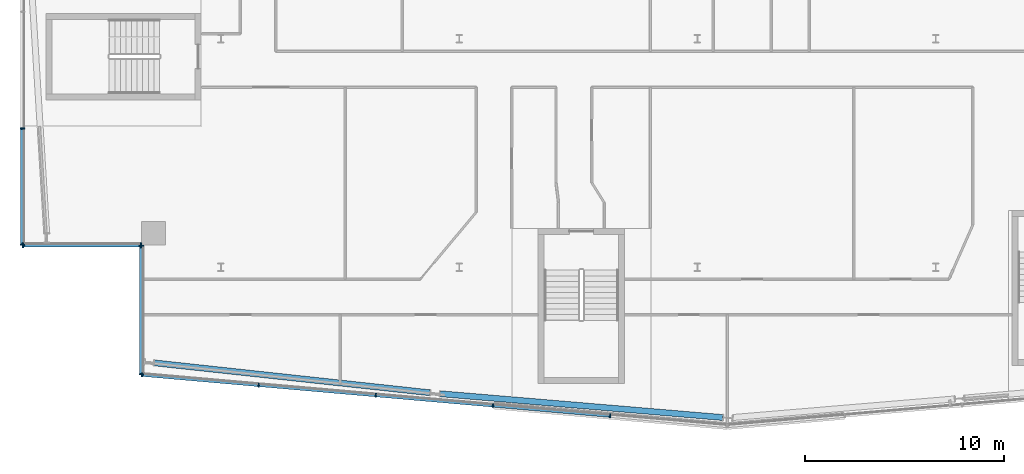
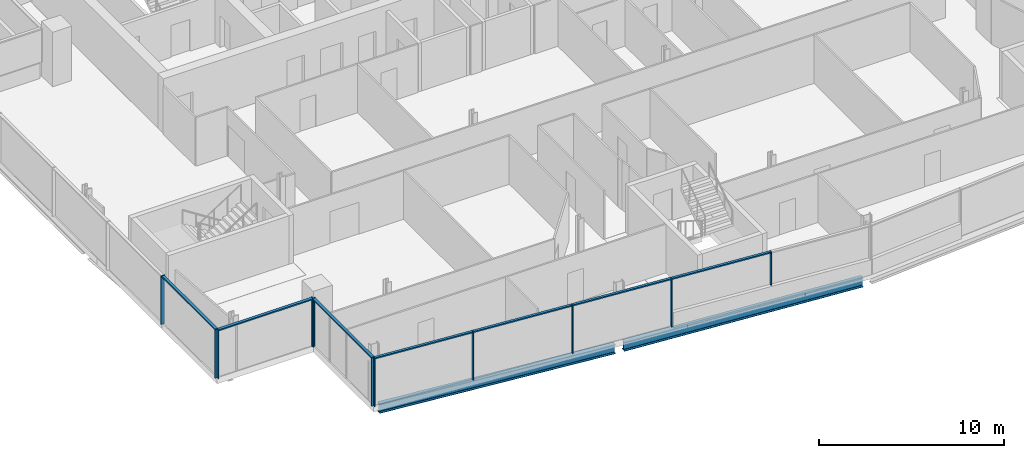
# One storey, part 5 of 22: 18 members, 2 beams, 4 elements without a shape of their own.
"""IFC4 building model written with IfcOpenShell, lengths in metres."""

import ifcopenshell
import ifcopenshell.guid

model = None  # the IFC model being written
_history = None  # IfcOwnerHistory: only IFC2X3 demands one
_inside = {}  # id of a spatial element -> (the spatial element, [elements in it])
_under = {}  # id of a project, library or spatial element -> (it, [spatial elements below it])
_declared = {}  # id of a project -> (the project, [libraries it declares])
_typed = {}  # id of a type object -> (the type object, [elements of that type])
_made_of = {}  # id of a material, layer set ... -> (it, [elements and type objects made of it])


def new_model(schema):
    """Start an empty IFC model of exactly this schema.

    Asked for "IFC4X3", IfcOpenShell would pick the latest addendum, in which some entities
    have other attributes; the version numbers below select the first issue.
    IFC2X3 requires an IfcOwnerHistory on every rooted entity: one is made here for all.
    """
    global model, _history
    if schema == "IFC4X3":
        model = ifcopenshell.file(schema_version=(4, 3, 0, 0))
    else:
        model = ifcopenshell.file(schema=schema)
    _inside.clear()
    _under.clear()
    _declared.clear()
    _typed.clear()
    _made_of.clear()
    _history = None
    if model.schema == "IFC2X3":
        org = make("IfcOrganization", Name="unknown")
        user = make(
            "IfcPersonAndOrganization",
            ThePerson=make("IfcPerson", FamilyName="unknown"),
            TheOrganization=org,
        )
        app = make(
            "IfcApplication",
            ApplicationDeveloper=org,
            Version="unknown",
            ApplicationFullName="unknown",
            ApplicationIdentifier="unknown",
        )
        _history = make(
            "IfcOwnerHistory",
            OwningUser=user,
            OwningApplication=app,
            ChangeAction="ADDED",
            CreationDate=0,
        )
    return model


def make(cls, **values):
    """One entity of the class cls with the attributes given. An attribute that is None is left unset."""
    return model.create_entity(
        cls, **{name: value for name, value in values.items() if value is not None}
    )


def rooted(cls, **values):
    """An entity with a GlobalId (a new one), such as an element, a storey or a relation."""
    return make(cls, GlobalId=ifcopenshell.guid.new(), OwnerHistory=_history, **values)


def si_unit(unit_type, name, prefix=None):
    """IfcSIUnit, for example si_unit("LENGTHUNIT", "METRE", prefix="MILLI")."""
    return make("IfcSIUnit", UnitType=unit_type, Prefix=prefix, Name=name)


def assignment(units):
    """IfcUnitAssignment: the units of a project."""
    return None if units is None else make("IfcUnitAssignment", Units=units)


def point(xyz):
    """IfcCartesianPoint."""
    return None if xyz is None else make("IfcCartesianPoint", Coordinates=xyz)


def direction(xyz):
    """IfcDirection."""
    return None if xyz is None else make("IfcDirection", DirectionRatios=xyz)


def frame(location, z_axis=None, x_axis=None):
    """IfcAxis2Placement3D, a coordinate frame: its origin and axes. An axis left out is left unset."""
    return make(
        "IfcAxis2Placement3D",
        Location=point(location),
        Axis=direction(z_axis),
        RefDirection=direction(x_axis),
    )


def frame_2d(location, x_axis=None):
    """IfcAxis2Placement2D, a coordinate frame in the plane: its origin and x axis."""
    return make(
        "IfcAxis2Placement2D", Location=point(location), RefDirection=direction(x_axis)
    )


def origin():
    """The frame at (0, 0, 0) with its axes left unset."""
    return frame((0.0, 0.0, 0.0))


def origin_2d():
    """The frame at (0, 0) in the plane with its x axis left unset."""
    return frame_2d((0.0, 0.0))


def place(relative_to, where):
    """IfcLocalPlacement: puts the frame where relative to a parent placement (None: the world)."""
    return make(
        "IfcLocalPlacement", PlacementRelTo=relative_to, RelativePlacement=where
    )


def context(
    kind, dimensions, precision=None, world=None, true_north=None, identifier=None
):
    """IfcGeometricRepresentationContext, for example the 3D "Model" context."""
    return make(
        "IfcGeometricRepresentationContext",
        ContextIdentifier=identifier,
        ContextType=kind,
        CoordinateSpaceDimension=dimensions,
        Precision=precision,
        WorldCoordinateSystem=world,
        TrueNorth=true_north,
    )


def subcontext(parent, identifier, kind, view, scale=None):
    """IfcGeometricRepresentationSubContext, for example "Body" below "Model"."""
    return make(
        "IfcGeometricRepresentationSubContext",
        ContextIdentifier=identifier,
        ContextType=kind,
        ParentContext=parent,
        TargetScale=scale,
        TargetView=view,
    )


def project(units=None, contexts=None):
    """IfcProject with its units and contexts."""
    return rooted(
        "IfcProject",
        Name="project",
        RepresentationContexts=contexts,
        UnitsInContext=assignment(units),
    )


def spatial(cls, under=None, at=None, **own):
    """A site, building, storey or space (cls), placed at a placement, below another one or the project."""
    s = rooted(cls, ObjectPlacement=at, **own)
    if under is not None:
        _under.setdefault(under.id(), (under, []))[1].append(s)
    return s


def profile(cls, at=None, kind="AREA", **sizes):
    """A parametric profile (cls). Its sizes go by their IFC names, for example OverallWidth=200.0."""
    return make(cls, ProfileType=kind, Position=at, **sizes)


def rectangle(**sizes):
    """IfcRectangleProfileDef."""
    return profile("IfcRectangleProfileDef", **sizes)


def i_section(**sizes):
    """IfcIShapeProfileDef."""
    return profile("IfcIShapeProfileDef", **sizes)


def extrude(swept, where, along, depth):
    """IfcExtrudedAreaSolid: the profile swept, set in the frame where, extruded along a direction by depth."""
    return make(
        "IfcExtrudedAreaSolid",
        SweptArea=swept,
        Position=where,
        ExtrudedDirection=direction(along),
        Depth=depth,
    )


def shape(context_of_items, identifier, shape_type, items):
    """IfcShapeRepresentation: the items that make up one representation, for example the "Body"."""
    return make(
        "IfcShapeRepresentation",
        ContextOfItems=context_of_items,
        RepresentationIdentifier=identifier,
        RepresentationType=shape_type,
        Items=items,
    )


def material(Name=None, Category=None):
    """IfcMaterial."""
    return make("IfcMaterial", Name=Name, Category=Category)


def material_profile(
    of_material, cross_section, Name=None, Category=None, Priority=None
):
    """IfcMaterialProfile: a cross section and its material."""
    return make(
        "IfcMaterialProfile",
        Name=Name,
        Material=of_material,
        Profile=cross_section,
        Priority=Priority,
        Category=Category,
    )


def profile_set(profiles, Name=None, composite=None):
    """IfcMaterialProfileSet."""
    return make(
        "IfcMaterialProfileSet",
        Name=Name,
        MaterialProfiles=profiles,
        CompositeProfile=composite,
    )


def made_of(thing, what):
    """Note that an element or type object is made of a material, layer set ...; save() writes the relation."""
    if what is not None:
        _made_of.setdefault(what.id(), (what, []))[1].append(thing)
    return thing


def type_object(cls, material=None, **own):
    """A type object (cls), such as IfcWallType, which elements share."""
    return made_of(rooted(cls, **own), material)


def element(
    cls,
    number,
    at=None,
    inside=None,
    cuts=None,
    type_object=None,
    material=None,
    context=None,
    identifier="Body",
    shape_type=None,
    held_by="IfcProductDefinitionShape",
    body=None,
    shapes=None,
    **own,
):
    """One element of the class cls, such as IfcWall. Its Tag is "e" and its number.

    at: its placement. inside: the storey or other place that contains it. cuts: it is an
    opening in that element (IfcRelVoidsElement). A single representation is given by context,
    identifier, shape_type and body (its items); several are given by shapes. held_by: the class
    of the entity that holds the representations. save() writes the other relations.
    """
    e = rooted(cls, Tag="e%d" % number, ObjectPlacement=at, **own)
    if body is not None:
        shapes = [shape(context, identifier, shape_type, body)]
    if shapes is not None:
        e.Representation = make(held_by, Representations=shapes)
    if inside is not None:
        _inside.setdefault(inside.id(), (inside, []))[1].append(e)
    if cuts is not None:
        rooted(
            "IfcRelVoidsElement", RelatingBuildingElement=cuts, RelatedOpeningElement=e
        )
    if type_object is not None:
        _typed.setdefault(type_object.id(), (type_object, []))[1].append(e)
    return made_of(e, material)


def aggregate(whole, parts):
    """IfcRelAggregates: a whole, such as a stair, and the parts it consists of."""
    return rooted("IfcRelAggregates", RelatingObject=whole, RelatedObjects=parts)


def save(model, path):
    """Write the relations noted so far, then the file.

    IfcRelAggregates (storeys below a building ...), IfcRelContainedInSpatialStructure (elements
    in a storey), IfcRelDefinesByType, IfcRelAssociatesMaterial and IfcRelDeclares: one each for
    every whole, place, type object, material and project.
    """
    for whole, parts in _under.values():
        aggregate(whole, parts)
    for where, things in _inside.values():
        rooted(
            "IfcRelContainedInSpatialStructure",
            RelatedElements=things,
            RelatingStructure=where,
        )
    for kind, things in _typed.values():
        rooted("IfcRelDefinesByType", RelatedObjects=things, RelatingType=kind)
    for what, things in _made_of.values():
        rooted("IfcRelAssociatesMaterial", RelatedObjects=things, RelatingMaterial=what)
    for by, libraries in _declared.values():
        rooted("IfcRelDeclares", RelatingContext=by, RelatedDefinitions=libraries)
    model.write(path)


model = new_model("IFC4")

# Units and contexts
model_context = context("Model", 3, precision=1e-05, world=origin(), true_north=direction((0.0, 1.0)))
body_context = subcontext(model_context, "Body", "Model", "MODEL_VIEW")
ifc_project = project(units=[si_unit("LENGTHUNIT", "METRE"), si_unit("AREAUNIT", "SQUARE_METRE"), si_unit("VOLUMEUNIT", "CUBIC_METRE"), si_unit("PLANEANGLEUNIT", "RADIAN"), si_unit("MASSUNIT", "GRAM", prefix="KILO")], contexts=[model_context])

# Site, building, storey
site_placement = place(None, origin())
site = spatial("IfcSite", under=ifc_project, at=site_placement, CompositionType="ELEMENT")
building_placement = place(site_placement, origin())
building = spatial("IfcBuilding", under=site, at=building_placement, Name="Wharfspan Tower", CompositionType="ELEMENT")
storey_placement = place(building_placement, frame((0.0, 0.0, 246.699951)))
storey = spatial("IfcBuildingStorey", under=building, at=storey_placement, Name="L62", CompositionType="ELEMENT", Elevation=246.699951)

# Beams
ifc_material_1 = material(Name="Steel S355J2", Category="steel")
ifc_material_profile_1 = material_profile(ifc_material_1, i_section(OverallWidth=0.300049, OverallDepth=0.600098, WebThickness=0.015381, FlangeThickness=0.030029, FilletRadius=0.0271, at=origin_2d()))
ifc_profile_set_1 = profile_set([ifc_material_profile_1], Name="Steel S355J2")
beam_type = type_object("IfcBeamType", Name="Edge beam HEB 600", PredefinedType="SPANDREL", material=ifc_profile_set_1)
beam_1_placement = place(storey_placement, frame((20.648682, 6.674805, -0.699951), z_axis=(0.99418, -0.107732, 0.0), x_axis=(0.107732, 0.99418, 0.0)))
element("IfcBeam", 1, at=beam_1_placement, inside=storey, type_object=beam_type, Name="Edge beam S1 L62 PS1.1 to PS1.2", PredefinedType="SPANDREL", context=body_context, shape_type="SweptSolid", body=[
    extrude(i_section(OverallWidth=0.300049, OverallDepth=0.600098, WebThickness=0.015381, FlangeThickness=0.030029, FilletRadius=0.0271, at=origin_2d()), origin(), (0.0, 0.0, 1.0), 13.95752),
])
beam_2_placement = place(storey_placement, frame((35.038574, 5.121582, -0.699951), z_axis=(0.996473, -0.083909, 0.0), x_axis=(0.083909, 0.996473, 0.0)))
element("IfcBeam", 2, at=beam_2_placement, inside=storey, type_object=beam_type, Name="Edge beam S1 L62 PS1.2 to PS1.3", PredefinedType="SPANDREL", context=body_context, shape_type="SweptSolid", body=[
    extrude(i_section(OverallWidth=0.300049, OverallDepth=0.600098, WebThickness=0.015381, FlangeThickness=0.030029, FilletRadius=0.0271, at=origin_2d()), origin(), (0.0, 0.0, 1.0), 14.277344),
])

# Curtain wall, members
ifc_material_2 = material(Name="Aluminium 6063-T6", Category="aluminium")
curtain_wall_type_1 = type_object("IfcCurtainWallType", Name="CURTAIN WALL FACETED FRONT", PredefinedType="NOTDEFINED", material=ifc_material_2)
curtain_wall_1_placement = place(storey_placement, origin())
curtain_wall_1 = element("IfcCurtainWall", 3, at=curtain_wall_1_placement, inside=storey, type_object=curtain_wall_type_1, Name="Curtain wall S1", PredefinedType="NOTDEFINED")
ifc_material_profile_2 = material_profile(ifc_material_2, rectangle(XDim=0.199951, YDim=0.060059, at=origin_2d()))
ifc_profile_set_2 = profile_set([ifc_material_profile_2], Name="Aluminium 6063-T6")
member_type_1 = type_object("IfcMemberType", Name="MULLION FACETED FRONT 60x200", PredefinedType="MULLION", material=ifc_profile_set_2)
member_1_placement = place(storey_placement, frame((20.029785, 6.07251, 0.0), z_axis=(0.0, 0.0, 1.0), x_axis=(0.087156, 0.996197, 0.0)))
member_1 = element("IfcMember", 4, at=member_1_placement, type_object=member_type_1, Name="Curtain wall S1 mullion 1", PredefinedType="MULLION", context=body_context, shape_type="SweptSolid", body=[
    extrude(rectangle(XDim=0.199951, YDim=0.060059, at=origin_2d()), origin(), (0.0, 0.0, 1.0), 3.199951),
])
member_2_placement = place(storey_placement, frame((25.899902, 5.558838, 0.0), z_axis=(0.0, 0.0, 1.0), x_axis=(0.087156, 0.996197, 0.0)))
member_2 = element("IfcMember", 5, at=member_2_placement, type_object=member_type_1, Name="Curtain wall S1 mullion 2", PredefinedType="MULLION", context=body_context, shape_type="SweptSolid", body=[
    extrude(rectangle(XDim=0.199951, YDim=0.060059, at=origin_2d()), origin(), (0.0, 0.0, 1.0), 3.199951),
])
member_3_placement = place(storey_placement, frame((31.800049, 5.042725, 0.0), z_axis=(0.0, 0.0, 1.0), x_axis=(0.087156, 0.996197, 0.0)))
member_3 = element("IfcMember", 6, at=member_3_placement, type_object=member_type_1, Name="Curtain wall S1 mullion 3", PredefinedType="MULLION", context=body_context, shape_type="SweptSolid", body=[
    extrude(rectangle(XDim=0.199951, YDim=0.060059, at=origin_2d()), origin(), (0.0, 0.0, 1.0), 3.199951),
])
member_4_placement = place(storey_placement, frame((37.699951, 4.526611, 0.0), z_axis=(0.0, 0.0, 1.0), x_axis=(0.087156, 0.996197, 0.0)))
member_4 = element("IfcMember", 7, at=member_4_placement, type_object=member_type_1, Name="Curtain wall S1 mullion 4", PredefinedType="MULLION", context=body_context, shape_type="SweptSolid", body=[
    extrude(rectangle(XDim=0.199951, YDim=0.060059, at=origin_2d()), origin(), (0.0, 0.0, 1.0), 3.199951),
])
member_5_placement = place(storey_placement, frame((43.600098, 4.010254, 1.0), z_axis=(0.0, 0.0, 1.0), x_axis=(0.087156, 0.996197, 0.0)))
member_5 = element("IfcMember", 8, at=member_5_placement, type_object=member_type_1, Name="Curtain wall S1 mullion 5", PredefinedType="MULLION", context=body_context, shape_type="SweptSolid", body=[
    extrude(rectangle(XDim=0.199951, YDim=0.060059, at=origin_2d()), origin(), (0.0, 0.0, 1.0), 2.199951),
])

curtain_wall_type_2 = type_object("IfcCurtainWallType", Name="CURTAIN WALL PROW AND END", PredefinedType="NOTDEFINED", material=ifc_material_2)
curtain_wall_2_placement = place(storey_placement, origin())
curtain_wall_2 = element("IfcCurtainWall", 9, at=curtain_wall_2_placement, inside=storey, type_object=curtain_wall_type_2, Name="Curtain wall W", PredefinedType="NOTDEFINED")
ifc_material_profile_3 = material_profile(ifc_material_2, rectangle(XDim=0.23999, YDim=0.060059, at=origin_2d()))
ifc_profile_set_3 = profile_set([ifc_material_profile_3], Name="Aluminium 6063-T6")
member_type_2 = type_object("IfcMemberType", Name="MULLION PROW AND END 60x240", PredefinedType="MULLION", material=ifc_profile_set_3)
member_6_placement = place(storey_placement, frame((14.0, 18.47998, 0.0), z_axis=(0.0, 0.0, 1.0), x_axis=(1.0, 0.0, 0.0)))
member_6 = element("IfcMember", 10, at=member_6_placement, type_object=member_type_2, Name="Curtain wall W mullion 5", PredefinedType="MULLION", context=body_context, shape_type="SweptSolid", body=[
    extrude(rectangle(XDim=0.23999, YDim=0.060059, at=origin_2d()), origin(), (0.0, 0.0, 1.0), 3.199951),
])
member_7_placement = place(storey_placement, frame((14.0, 12.629883, 0.0), z_axis=(0.0, 0.0, 1.0), x_axis=(1.0, 0.0, 0.0)))
member_7 = element("IfcMember", 11, at=member_7_placement, type_object=member_type_2, Name="Curtain wall W mullion 6", PredefinedType="MULLION", context=body_context, shape_type="SweptSolid", body=[
    extrude(rectangle(XDim=0.23999, YDim=0.060059, at=origin_2d()), origin(), (0.0, 0.0, 1.0), 3.199951),
])

curtain_wall_3_placement = place(storey_placement, origin())
curtain_wall_3 = element("IfcCurtainWall", 12, at=curtain_wall_3_placement, inside=storey, type_object=curtain_wall_type_2, Name="Curtain wall NFW-H", PredefinedType="NOTDEFINED")
member_8_placement = place(storey_placement, frame((14.030029, 12.600098, 0.0), z_axis=(0.0, 0.0, 1.0), x_axis=(0.0, 1.0, 0.0)))
member_8 = element("IfcMember", 13, at=member_8_placement, type_object=member_type_2, Name="Curtain wall NFW-H mullion 1", PredefinedType="MULLION", context=body_context, shape_type="SweptSolid", body=[
    extrude(rectangle(XDim=0.23999, YDim=0.060059, at=origin_2d()), origin(), (0.0, 0.0, 1.0), 3.199951),
])
member_9_placement = place(storey_placement, frame((19.969971, 12.600098, 0.0), z_axis=(0.0, 0.0, 1.0), x_axis=(0.0, 1.0, 0.0)))
member_9 = element("IfcMember", 14, at=member_9_placement, type_object=member_type_2, Name="Curtain wall NFW-H mullion 2", PredefinedType="MULLION", context=body_context, shape_type="SweptSolid", body=[
    extrude(rectangle(XDim=0.23999, YDim=0.060059, at=origin_2d()), origin(), (0.0, 0.0, 1.0), 3.199951),
])

curtain_wall_4_placement = place(storey_placement, origin())
curtain_wall_4 = element("IfcCurtainWall", 15, at=curtain_wall_4_placement, inside=storey, type_object=curtain_wall_type_2, Name="Curtain wall NFW-V", PredefinedType="NOTDEFINED")
member_10_placement = place(storey_placement, frame((20.0, 12.570068, 0.0), z_axis=(0.0, 0.0, 1.0), x_axis=(1.0, 0.0, 0.0)))
member_10 = element("IfcMember", 16, at=member_10_placement, type_object=member_type_2, Name="Curtain wall NFW-V mullion 1", PredefinedType="MULLION", context=body_context, shape_type="SweptSolid", body=[
    extrude(rectangle(XDim=0.23999, YDim=0.060059, at=origin_2d()), origin(), (0.0, 0.0, 1.0), 3.199951),
])
member_11_placement = place(storey_placement, frame((20.0, 6.10498, 0.0), z_axis=(0.0, 0.0, 1.0), x_axis=(1.0, 0.0, 0.0)))
member_11 = element("IfcMember", 17, at=member_11_placement, type_object=member_type_2, Name="Curtain wall NFW-V mullion 2", PredefinedType="MULLION", context=body_context, shape_type="SweptSolid", body=[
    extrude(rectangle(XDim=0.23999, YDim=0.060059, at=origin_2d()), origin(), (0.0, 0.0, 1.0), 3.199951),
])

# Member
ifc_material_profile_4 = material_profile(ifc_material_2, rectangle(XDim=0.159912, YDim=0.080078, at=origin_2d()))
ifc_profile_set_4 = profile_set([ifc_material_profile_4], Name="Aluminium 6063-T6")
member_type_3 = type_object("IfcMemberType", Name="TRANSOM FACETED FRONT 80x160", PredefinedType="USERDEFINED", material=ifc_profile_set_4)
member_12_placement = place(storey_placement, frame((20.059814, 6.069824, 3.160156), z_axis=(0.996195, -0.08715, 0.0), x_axis=(0.08715, 0.996195, 0.0)))
member_12 = element("IfcMember", 18, at=member_12_placement, type_object=member_type_3, Name="Curtain wall S1 transom 1", ObjectType="TRANSOM", PredefinedType="USERDEFINED", context=body_context, shape_type="SweptSolid", body=[
    extrude(rectangle(XDim=0.159912, YDim=0.080078, at=origin_2d()), origin(), (0.0, 0.0, 1.0), 5.83252),
])

member_13_placement = place(storey_placement, frame((25.929932, 5.556152, 3.160156), z_axis=(0.996198, -0.087122, 0.0), x_axis=(0.087122, 0.996198, 0.0)))
member_13 = element("IfcMember", 19, at=member_13_placement, type_object=member_type_3, Name="Curtain wall S1 transom 2", ObjectType="TRANSOM", PredefinedType="USERDEFINED", context=body_context, shape_type="SweptSolid", body=[
    extrude(rectangle(XDim=0.159912, YDim=0.080078, at=origin_2d()), origin(), (0.0, 0.0, 1.0), 5.862305),
])

member_14_placement = place(storey_placement, frame((31.829834, 5.040039, 3.160156), z_axis=(0.996194, -0.08716, 0.0), x_axis=(0.08716, 0.996194, 0.0)))
member_14 = element("IfcMember", 20, at=member_14_placement, type_object=member_type_3, Name="Curtain wall S1 transom 3", ObjectType="TRANSOM", PredefinedType="USERDEFINED", context=body_context, shape_type="SweptSolid", body=[
    extrude(rectangle(XDim=0.159912, YDim=0.080078, at=origin_2d()), origin(), (0.0, 0.0, 1.0), 5.862549),
])

member_15_placement = place(storey_placement, frame((37.72998, 4.523926, 3.160156), z_axis=(0.996194, -0.087163, 0.0), x_axis=(0.087163, 0.996194, 0.0)))
member_15 = element("IfcMember", 21, at=member_15_placement, type_object=member_type_3, Name="Curtain wall S1 transom 4", ObjectType="TRANSOM", PredefinedType="USERDEFINED", context=body_context, shape_type="SweptSolid", body=[
    extrude(rectangle(XDim=0.159912, YDim=0.080078, at=origin_2d()), origin(), (0.0, 0.0, 1.0), 5.862305),
])

aggregate(curtain_wall_1, [member_1, member_2, member_3, member_4, member_5, member_12, member_13, member_14, member_15])

ifc_material_profile_5 = material_profile(ifc_material_2, rectangle(XDim=0.179932, YDim=0.080078, at=origin_2d()))
ifc_profile_set_5 = profile_set([ifc_material_profile_5], Name="Aluminium 6063-T6")
member_type_4 = type_object("IfcMemberType", Name="TRANSOM PROW AND END 80x180", PredefinedType="USERDEFINED", material=ifc_profile_set_5)
member_16_placement = place(storey_placement, frame((14.0, 18.449951, 3.160156), z_axis=(0.0, -1.0, 0.0), x_axis=(1.0, 0.0, 0.0)))
member_16 = element("IfcMember", 22, at=member_16_placement, type_object=member_type_4, Name="Curtain wall W transom 5", ObjectType="TRANSOM", PredefinedType="USERDEFINED", context=body_context, shape_type="SweptSolid", body=[
    extrude(rectangle(XDim=0.179932, YDim=0.080078, at=origin_2d()), origin(), (0.0, 0.0, 1.0), 5.790039),
])

aggregate(curtain_wall_2, [member_6, member_7, member_16])

member_17_placement = place(storey_placement, frame((14.060059, 12.600098, 3.160156), z_axis=(1.0, 0.0, 0.0), x_axis=(0.0, 1.0, 0.0)))
member_17 = element("IfcMember", 23, at=member_17_placement, type_object=member_type_4, Name="Curtain wall NFW-H transom 1", ObjectType="TRANSOM", PredefinedType="USERDEFINED", context=body_context, shape_type="SweptSolid", body=[
    extrude(rectangle(XDim=0.179932, YDim=0.080078, at=origin_2d()), origin(), (0.0, 0.0, 1.0), 5.879883),
])

aggregate(curtain_wall_3, [member_8, member_9, member_17])

member_18_placement = place(storey_placement, frame((20.0, 12.540039, 3.160156), z_axis=(0.0, -1.0, 0.0), x_axis=(1.0, 0.0, 0.0)))
member_18 = element("IfcMember", 24, at=member_18_placement, type_object=member_type_4, Name="Curtain wall NFW-V transom 1", ObjectType="TRANSOM", PredefinedType="USERDEFINED", context=body_context, shape_type="SweptSolid", body=[
    extrude(rectangle(XDim=0.179932, YDim=0.080078, at=origin_2d()), origin(), (0.0, 0.0, 1.0), 6.405029),
])

aggregate(curtain_wall_4, [member_10, member_11, member_18])

save(model, "model.ifc")
